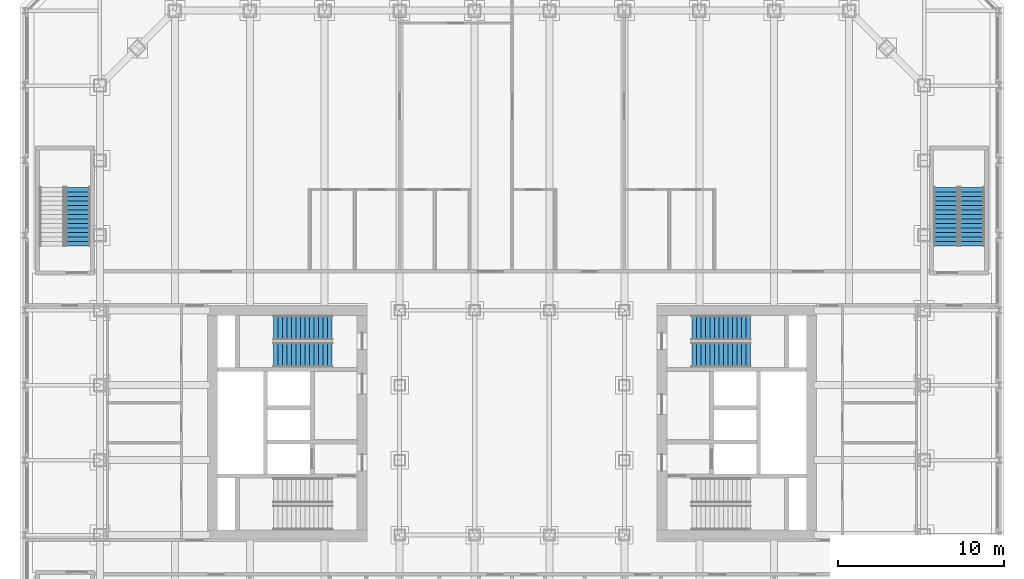
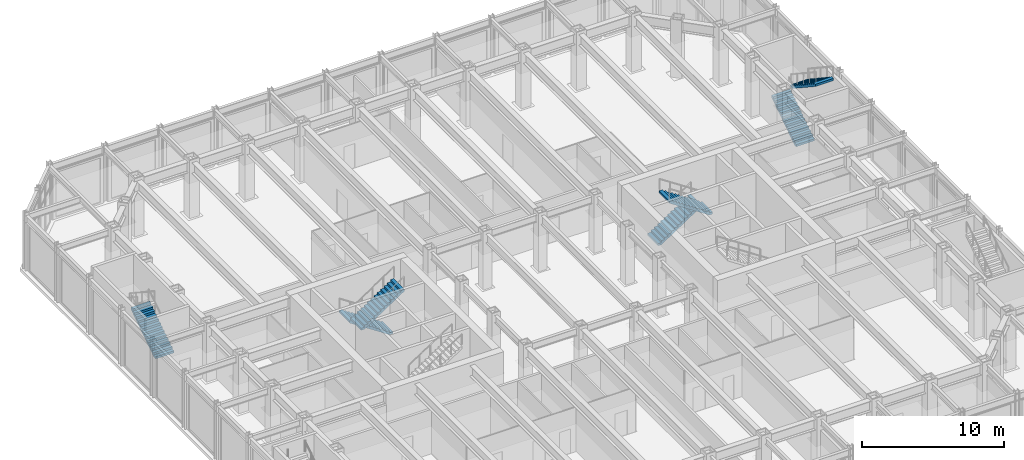
# One storey, part 16 of 19: 7 stair flights, 4 elements without a shape of their own.
"""IFC4 building model written with IfcOpenShell, lengths in metres."""

from ifc_helpers import new_model, si_unit, direction, frame, origin, place, context, subcontext, project, spatial, polyline, outline, extrude, material, type_object, element, aggregate, save


model = new_model("IFC4")

# Units and contexts
model_context = context("Model", 3, precision=1e-05, world=origin(), true_north=direction((0.0, 1.0)))
body_context = subcontext(model_context, "Body", "Model", "MODEL_VIEW")
ifc_project = project(units=[si_unit("LENGTHUNIT", "METRE"), si_unit("AREAUNIT", "SQUARE_METRE"), si_unit("VOLUMEUNIT", "CUBIC_METRE"), si_unit("PLANEANGLEUNIT", "RADIAN"), si_unit("MASSUNIT", "GRAM", prefix="KILO")], contexts=[model_context])

# Site, building, storey
site_placement = place(None, origin())
site = spatial("IfcSite", under=ifc_project, at=site_placement, CompositionType="ELEMENT")
building_placement = place(site_placement, origin())
building = spatial("IfcBuilding", under=site, at=building_placement, Name="Msasa Ring Tower", CompositionType="ELEMENT")
storey_placement = place(building_placement, frame((0.0, 0.0, 11.0)))
storey = spatial("IfcBuildingStorey", under=building, at=storey_placement, Name="L02", CompositionType="ELEMENT", Elevation=11.0)

# Stair, stair flights
ifc_material_1 = material(Name="Concrete C40/50", Category="concrete")
stair_type_1 = type_object("IfcStairType", Name="STC CORE STAIR 28 RISERS 178.6", PredefinedType="HALF_TURN_STAIR", material=ifc_material_1)
stair_1_placement = place(storey_placement, origin())
stair_1 = element("IfcStair", 1, at=stair_1_placement, inside=storey, type_object=stair_type_1, Name="Core stair SEB L02", PredefinedType="HALF_TURN_STAIR")
ifc_material_2 = material(Name="Concrete C40/50", Category="concrete")
stair_flight_type_1 = type_object("IfcStairFlightType", Name="ST13 CORE STAIR FLIGHT 1500 14 RISERS 178.6", PredefinedType="STRAIGHT", material=ifc_material_2)
stair_flight_1_placement = place(storey_placement, frame((10.800048828125, 5.699951171875, 0.0), z_axis=(0.0, 0.0, 1.0), x_axis=(1.0, 0.0, 0.0)))
stair_flight_1 = element("IfcStairFlight", 2, at=stair_flight_1_placement, type_object=stair_flight_type_1, Name="SEB flight 1", NumberOfRisers=14, NumberOfTreads=13, PredefinedType="STRAIGHT", RiserHeight=0.178571429, TreadLength=0.27, context=body_context, shape_type="SweptSolid", body=[
    extrude(outline(polyline([(0.0, 0.0), (0.0, 0.178466796875), (0.27001953125, 0.178466796875), (0.27001953125, 0.357177734375), (0.5400390625, 0.357177734375), (0.5400390625, 0.53564453125), (0.81005859375, 0.53564453125), (0.81005859375, 0.71435546875), (1.080078125, 0.71435546875), (1.080078125, 0.892822265625), (1.35009765625, 0.892822265625), (1.35009765625, 1.071533203125), (1.6201171875, 1.071533203125), (1.6201171875, 1.25), (1.889892578125, 1.25), (1.889892578125, 1.428466796875), (2.159912109375, 1.428466796875), (2.159912109375, 1.607177734375), (2.429931640625, 1.607177734375), (2.429931640625, 1.78564453125), (2.699951171875, 1.78564453125), (2.699951171875, 1.96435546875), (2.969970703125, 1.96435546875), (2.969970703125, 2.142822265625), (3.239990234375, 2.142822265625), (3.239990234375, 2.321533203125), (3.510009765625, 2.321533203125), (3.510009765625, 2.5), (3.510009765625, 2.1416015625), (0.271728515625, 0.0), (0.0, 0.0)])), frame((0.0, 0.75, 0.0), z_axis=(0.0, -1.0, 0.0), x_axis=(1.0, 0.0, 0.0)), (0.0, 0.0, 1.0), 1.5),
])
stair_flight_2_placement = place(storey_placement, frame((14.31005859375, 4.074951171875, 2.5), z_axis=(0.0, 0.0, 1.0), x_axis=(-1.0, 0.0, 0.0)))
stair_flight_2 = element("IfcStairFlight", 3, at=stair_flight_2_placement, type_object=stair_flight_type_1, Name="SEB flight 2", NumberOfRisers=14, NumberOfTreads=13, PredefinedType="STRAIGHT", RiserHeight=0.178571429, TreadLength=0.27, context=body_context, shape_type="SweptSolid", body=[
    extrude(outline(polyline([(0.0, 0.0), (0.0, 0.178466796875), (0.27001953125, 0.178466796875), (0.27001953125, 0.357177734375), (0.5400390625, 0.357177734375), (0.5400390625, 0.53564453125), (0.81005859375, 0.53564453125), (0.81005859375, 0.71435546875), (1.080078125, 0.71435546875), (1.080078125, 0.892822265625), (1.35009765625, 0.892822265625), (1.35009765625, 1.071533203125), (1.6201171875, 1.071533203125), (1.6201171875, 1.25), (1.889892578125, 1.25), (1.889892578125, 1.428466796875), (2.159912109375, 1.428466796875), (2.159912109375, 1.607177734375), (2.429931640625, 1.607177734375), (2.429931640625, 1.78564453125), (2.699951171875, 1.78564453125), (2.699951171875, 1.96435546875), (2.969970703125, 1.96435546875), (2.969970703125, 2.142822265625), (3.239990234375, 2.142822265625), (3.239990234375, 2.321533203125), (3.510009765625, 2.321533203125), (3.510009765625, 2.5), (3.510009765625, 2.1416015625), (0.271728515625, 0.0), (0.0, 0.0)])), frame((0.0, 0.75, 0.0), z_axis=(0.0, -1.0, 0.0), x_axis=(1.0, 0.0, 0.0)), (0.0, 0.0, 1.0), 1.5),
])
aggregate(stair_1, [stair_flight_1, stair_flight_2])

stair_2_placement = place(storey_placement, origin())
stair_2 = element("IfcStair", 4, at=stair_2_placement, inside=storey, type_object=stair_type_1, Name="Core stair SWB L02", PredefinedType="HALF_TURN_STAIR")
stair_flight_3_placement = place(storey_placement, frame((-10.800048828125, 5.699951171875, 0.0), z_axis=(0.0, 0.0, 1.0), x_axis=(-1.0, 0.0, 0.0)))
stair_flight_3 = element("IfcStairFlight", 5, at=stair_flight_3_placement, type_object=stair_flight_type_1, Name="SWB flight 1", NumberOfRisers=14, NumberOfTreads=13, PredefinedType="STRAIGHT", RiserHeight=0.178571429, TreadLength=0.27, context=body_context, shape_type="SweptSolid", body=[
    extrude(outline(polyline([(0.0, 0.0), (0.0, 0.178466796875), (0.27001953125, 0.178466796875), (0.27001953125, 0.357177734375), (0.5400390625, 0.357177734375), (0.5400390625, 0.53564453125), (0.81005859375, 0.53564453125), (0.81005859375, 0.71435546875), (1.080078125, 0.71435546875), (1.080078125, 0.892822265625), (1.35009765625, 0.892822265625), (1.35009765625, 1.071533203125), (1.6201171875, 1.071533203125), (1.6201171875, 1.25), (1.889892578125, 1.25), (1.889892578125, 1.428466796875), (2.159912109375, 1.428466796875), (2.159912109375, 1.607177734375), (2.429931640625, 1.607177734375), (2.429931640625, 1.78564453125), (2.699951171875, 1.78564453125), (2.699951171875, 1.96435546875), (2.969970703125, 1.96435546875), (2.969970703125, 2.142822265625), (3.239990234375, 2.142822265625), (3.239990234375, 2.321533203125), (3.510009765625, 2.321533203125), (3.510009765625, 2.5), (3.510009765625, 2.1416015625), (0.271728515625, 0.0), (0.0, 0.0)])), frame((0.0, 0.75, 0.0), z_axis=(0.0, -1.0, 0.0), x_axis=(1.0, 0.0, 0.0)), (0.0, 0.0, 1.0), 1.5),
])
stair_flight_4_placement = place(storey_placement, frame((-14.31005859375, 4.074951171875, 2.5), z_axis=(0.0, 0.0, 1.0), x_axis=(1.0, 0.0, 0.0)))
stair_flight_4 = element("IfcStairFlight", 6, at=stair_flight_4_placement, type_object=stair_flight_type_1, Name="SWB flight 2", NumberOfRisers=14, NumberOfTreads=13, PredefinedType="STRAIGHT", RiserHeight=0.178571429, TreadLength=0.27, context=body_context, shape_type="SweptSolid", body=[
    extrude(outline(polyline([(0.0, 0.0), (0.0, 0.178466796875), (0.27001953125, 0.178466796875), (0.27001953125, 0.357177734375), (0.5400390625, 0.357177734375), (0.5400390625, 0.53564453125), (0.81005859375, 0.53564453125), (0.81005859375, 0.71435546875), (1.080078125, 0.71435546875), (1.080078125, 0.892822265625), (1.35009765625, 0.892822265625), (1.35009765625, 1.071533203125), (1.6201171875, 1.071533203125), (1.6201171875, 1.25), (1.889892578125, 1.25), (1.889892578125, 1.428466796875), (2.159912109375, 1.428466796875), (2.159912109375, 1.607177734375), (2.429931640625, 1.607177734375), (2.429931640625, 1.78564453125), (2.699951171875, 1.78564453125), (2.699951171875, 1.96435546875), (2.969970703125, 1.96435546875), (2.969970703125, 2.142822265625), (3.239990234375, 2.142822265625), (3.239990234375, 2.321533203125), (3.510009765625, 2.321533203125), (3.510009765625, 2.5), (3.510009765625, 2.1416015625), (0.271728515625, 0.0), (0.0, 0.0)])), frame((0.0, 0.75, 0.0), z_axis=(0.0, -1.0, 0.0), x_axis=(1.0, 0.0, 0.0)), (0.0, 0.0, 1.0), 1.5),
])
aggregate(stair_2, [stair_flight_3, stair_flight_4])

ifc_material_3 = material(Name="Concrete C40/50", Category="concrete")
stair_type_2 = type_object("IfcStairType", Name="STP PODIUM STAIR 28 RISERS 178.6", PredefinedType="HALF_TURN_STAIR", material=ifc_material_3)
stair_3_placement = place(storey_placement, origin())
stair_3 = element("IfcStair", 7, at=stair_3_placement, inside=storey, type_object=stair_type_2, Name="Podium stair PEN L02", PredefinedType="HALF_TURN_STAIR")
ifc_material_4 = material(Name="Concrete C40/50", Category="concrete")
stair_flight_type_2 = type_object("IfcStairFlightType", Name="ST21 PODIUM STAIR FLIGHT 1500 14 RISERS 178.6", PredefinedType="STRAIGHT", material=ifc_material_4)
stair_flight_5_placement = place(storey_placement, frame((26.074951171875, 10.625, 0.0), z_axis=(0.0, 0.0, 1.0), x_axis=(0.0, 1.0, 0.0)))
stair_flight_5 = element("IfcStairFlight", 8, at=stair_flight_5_placement, type_object=stair_flight_type_2, Name="PEN flight 1", NumberOfRisers=14, NumberOfTreads=13, PredefinedType="STRAIGHT", RiserHeight=0.178571429, TreadLength=0.27, context=body_context, shape_type="SweptSolid", body=[
    extrude(outline(polyline([(0.0, 0.0), (0.0, 0.178466796875), (0.27001953125, 0.178466796875), (0.27001953125, 0.357177734375), (0.5400390625, 0.357177734375), (0.5400390625, 0.53564453125), (0.81005859375, 0.53564453125), (0.81005859375, 0.71435546875), (1.080078125, 0.71435546875), (1.080078125, 0.892822265625), (1.35009765625, 0.892822265625), (1.35009765625, 1.071533203125), (1.6201171875, 1.071533203125), (1.6201171875, 1.25), (1.889892578125, 1.25), (1.889892578125, 1.428466796875), (2.159912109375, 1.428466796875), (2.159912109375, 1.607177734375), (2.429931640625, 1.607177734375), (2.429931640625, 1.78564453125), (2.699951171875, 1.78564453125), (2.699951171875, 1.96435546875), (2.969970703125, 1.96435546875), (2.969970703125, 2.142822265625), (3.239990234375, 2.142822265625), (3.239990234375, 2.321533203125), (3.510009765625, 2.321533203125), (3.510009765625, 2.5), (3.510009765625, 2.1416015625), (0.271728515625, 0.0), (0.0, 0.0)])), frame((0.0, 0.75, 0.0), z_axis=(0.0, -1.0, 0.0), x_axis=(1.0, 0.0, 0.0)), (0.0, 0.0, 1.0), 1.5),
])
stair_flight_6_placement = place(storey_placement, frame((27.625, 14.135009765625, 2.5), z_axis=(0.0, 0.0, 1.0), x_axis=(0.0, -1.0, 0.0)))
stair_flight_6 = element("IfcStairFlight", 9, at=stair_flight_6_placement, type_object=stair_flight_type_2, Name="PEN flight 2", NumberOfRisers=14, NumberOfTreads=13, PredefinedType="STRAIGHT", RiserHeight=0.178571429, TreadLength=0.27, context=body_context, shape_type="SweptSolid", body=[
    extrude(outline(polyline([(0.0, 0.0), (0.0, 0.178466796875), (0.27001953125, 0.178466796875), (0.27001953125, 0.357177734375), (0.5400390625, 0.357177734375), (0.5400390625, 0.53564453125), (0.81005859375, 0.53564453125), (0.81005859375, 0.71435546875), (1.080078125, 0.71435546875), (1.080078125, 0.892822265625), (1.35009765625, 0.892822265625), (1.35009765625, 1.071533203125), (1.6201171875, 1.071533203125), (1.6201171875, 1.25), (1.889892578125, 1.25), (1.889892578125, 1.428466796875), (2.159912109375, 1.428466796875), (2.159912109375, 1.607177734375), (2.429931640625, 1.607177734375), (2.429931640625, 1.78564453125), (2.699951171875, 1.78564453125), (2.699951171875, 1.96435546875), (2.969970703125, 1.96435546875), (2.969970703125, 2.142822265625), (3.239990234375, 2.142822265625), (3.239990234375, 2.321533203125), (3.510009765625, 2.321533203125), (3.510009765625, 2.5), (3.510009765625, 2.1416015625), (0.271728515625, 0.0), (0.0, 0.0)])), frame((0.0, 0.75, 0.0), z_axis=(0.0, -1.0, 0.0), x_axis=(1.0, 0.0, 0.0)), (0.0, 0.0, 1.0), 1.5),
])
aggregate(stair_3, [stair_flight_5, stair_flight_6])

# Stair, stair flight
stair_4_placement = place(storey_placement, origin())
stair_4 = element("IfcStair", 10, at=stair_4_placement, inside=storey, type_object=stair_type_2, Name="Podium stair PWN L02", PredefinedType="HALF_TURN_STAIR")
stair_flight_7_placement = place(storey_placement, frame((-26.074951171875, 10.625, 0.0), z_axis=(0.0, 0.0, 1.0), x_axis=(0.0, 1.0, 0.0)))
stair_flight_7 = element("IfcStairFlight", 11, at=stair_flight_7_placement, type_object=stair_flight_type_2, Name="PWN flight 1", NumberOfRisers=14, NumberOfTreads=13, PredefinedType="STRAIGHT", RiserHeight=0.178571429, TreadLength=0.27, context=body_context, shape_type="SweptSolid", body=[
    extrude(outline(polyline([(0.0, 0.0), (0.0, 0.178466796875), (0.27001953125, 0.178466796875), (0.27001953125, 0.357177734375), (0.5400390625, 0.357177734375), (0.5400390625, 0.53564453125), (0.81005859375, 0.53564453125), (0.81005859375, 0.71435546875), (1.080078125, 0.71435546875), (1.080078125, 0.892822265625), (1.35009765625, 0.892822265625), (1.35009765625, 1.071533203125), (1.6201171875, 1.071533203125), (1.6201171875, 1.25), (1.889892578125, 1.25), (1.889892578125, 1.428466796875), (2.159912109375, 1.428466796875), (2.159912109375, 1.607177734375), (2.429931640625, 1.607177734375), (2.429931640625, 1.78564453125), (2.699951171875, 1.78564453125), (2.699951171875, 1.96435546875), (2.969970703125, 1.96435546875), (2.969970703125, 2.142822265625), (3.239990234375, 2.142822265625), (3.239990234375, 2.321533203125), (3.510009765625, 2.321533203125), (3.510009765625, 2.5), (3.510009765625, 2.1416015625), (0.271728515625, 0.0), (0.0, 0.0)])), frame((0.0, 0.75, 0.0), z_axis=(0.0, -1.0, 0.0), x_axis=(1.0, 0.0, 0.0)), (0.0, 0.0, 1.0), 1.5),
])
aggregate(stair_4, [stair_flight_7])

save(model, "model.ifc")
